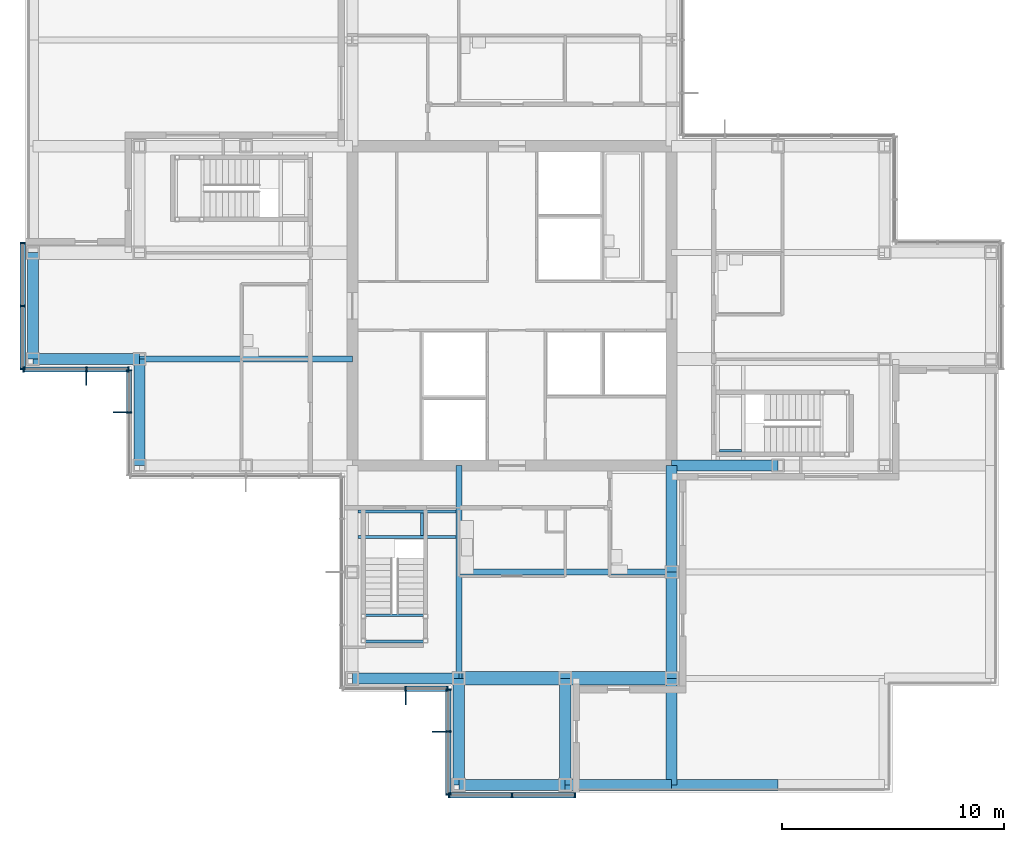
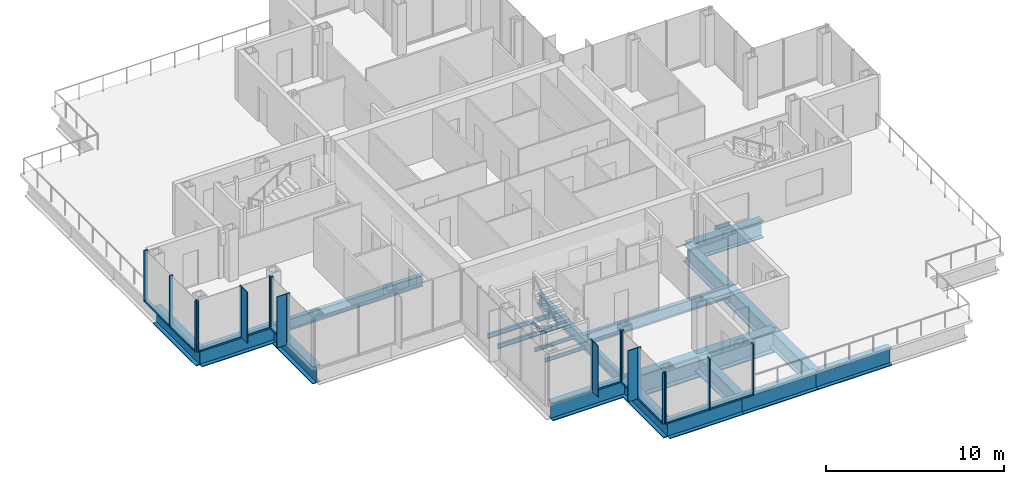
# One storey, part 6 of 17: 30 members, 23 beams, 6 elements without a shape of their own.
"""IFC4 building model written with IfcOpenShell, lengths in metres."""

from ifc_helpers import new_model, si_unit, direction, frame, origin, origin_2d, place, context, subcontext, project, spatial, rectangle, i_section, extrude, material, material_profile, profile_set, type_object, element, aggregate, save


model = new_model("IFC4")

# Units and contexts
model_context = context("Model", 3, precision=1e-05, world=origin(), true_north=direction((0.0, 1.0)))
body_context = subcontext(model_context, "Body", "Model", "MODEL_VIEW")
ifc_project = project(units=[si_unit("LENGTHUNIT", "METRE"), si_unit("AREAUNIT", "SQUARE_METRE"), si_unit("VOLUMEUNIT", "CUBIC_METRE"), si_unit("PLANEANGLEUNIT", "RADIAN"), si_unit("MASSUNIT", "GRAM", prefix="KILO")], contexts=[model_context])

# Site, building, storey
site_placement = place(None, origin())
site = spatial("IfcSite", under=ifc_project, at=site_placement, CompositionType="ELEMENT")
building_placement = place(site_placement, origin())
building = spatial("IfcBuilding", under=site, at=building_placement, Name="Kvirike Care Tower", CompositionType="ELEMENT")
storey_placement = place(building_placement, frame((0.0, 0.0, 141.0)))
storey = spatial("IfcBuildingStorey", under=building, at=storey_placement, Name="L38", CompositionType="ELEMENT", Elevation=141.0)

# Curtain wall, member
ifc_material_1 = material(Name="Anodised aluminium stick system", Category="aluminium")
curtain_wall_type = type_object("IfcCurtainWallType", Name="CW-C STICK CURTAIN WALL", PredefinedType="NOTDEFINED", material=ifc_material_1)
curtain_wall_1_placement = place(storey_placement, origin())
curtain_wall_1 = element("IfcCurtainWall", 1, at=curtain_wall_1_placement, inside=storey, type_object=curtain_wall_type, Name="Curtain wall L38 face 19", PredefinedType="NOTDEFINED")
ifc_material_2 = material(Name="Bronze anodised aluminium fin", Category="aluminium")
ifc_material_profile_1 = material_profile(ifc_material_2, rectangle(XDim=0.050048828125, YDim=0.60009765625, at=origin_2d()), Name="BRONZE FIN 600")
ifc_profile_set_1 = profile_set([ifc_material_profile_1], Name="Bronze anodised aluminium fin")
member_type_1 = type_object("IfcMemberType", Name="BRONZE FIN 600", PredefinedType="USERDEFINED", material=ifc_profile_set_1)
member_1_placement = place(storey_placement, frame((2.39990234375, 32.7099609375, 0.0), z_axis=(0.0, 0.0, 1.0), x_axis=(1.0, 0.0, 0.0)))
member_1 = element("IfcMember", 2, at=member_1_placement, type_object=member_type_1, Name="Bronze fin L38 face 19.2", ObjectType="FIN", PredefinedType="USERDEFINED", context=body_context, shape_type="SweptSolid", body=[
    extrude(rectangle(XDim=0.050048828125, YDim=0.60009765625, at=origin_2d()), origin(), (0.0, 0.0, 1.0), 3.5),
])

curtain_wall_2_placement = place(storey_placement, origin())
curtain_wall_2 = element("IfcCurtainWall", 3, at=curtain_wall_2_placement, inside=storey, type_object=curtain_wall_type, Name="Curtain wall L38 face 20", PredefinedType="NOTDEFINED")
member_2_placement = place(storey_placement, frame((3.909912109375, 31.199951171875, 0.0), z_axis=(0.0, 0.0, 1.0), x_axis=(0.0, -1.0, 0.0)))
member_2 = element("IfcMember", 4, at=member_2_placement, type_object=member_type_1, Name="Bronze fin L38 face 20.2", ObjectType="FIN", PredefinedType="USERDEFINED", context=body_context, shape_type="SweptSolid", body=[
    extrude(rectangle(XDim=0.050048828125, YDim=0.60009765625, at=origin_2d()), origin(), (0.0, 0.0, 1.0), 3.5),
])

curtain_wall_3_placement = place(storey_placement, origin())
curtain_wall_3 = element("IfcCurtainWall", 5, at=curtain_wall_3_placement, inside=storey, type_object=curtain_wall_type, Name="Curtain wall L38 face 23", PredefinedType="NOTDEFINED")
member_3_placement = place(storey_placement, frame((16.800048828125, 18.31005859375, 0.0), z_axis=(0.0, 0.0, 1.0), x_axis=(1.0, 0.0, 0.0)))
member_3 = element("IfcMember", 6, at=member_3_placement, type_object=member_type_1, Name="Bronze fin L38 face 23.2", ObjectType="FIN", PredefinedType="USERDEFINED", context=body_context, shape_type="SweptSolid", body=[
    extrude(rectangle(XDim=0.050048828125, YDim=0.60009765625, at=origin_2d()), origin(), (0.0, 0.0, 1.0), 3.5),
])

curtain_wall_4_placement = place(storey_placement, origin())
curtain_wall_4 = element("IfcCurtainWall", 7, at=curtain_wall_4_placement, inside=storey, type_object=curtain_wall_type, Name="Curtain wall L38 face 24", PredefinedType="NOTDEFINED")
member_4_placement = place(storey_placement, frame((18.31005859375, 16.800048828125, 0.0), z_axis=(0.0, 0.0, 1.0), x_axis=(0.0, -1.0, 0.0)))
member_4 = element("IfcMember", 8, at=member_4_placement, type_object=member_type_1, Name="Bronze fin L38 face 24.2", ObjectType="FIN", PredefinedType="USERDEFINED", context=body_context, shape_type="SweptSolid", body=[
    extrude(rectangle(XDim=0.050048828125, YDim=0.60009765625, at=origin_2d()), origin(), (0.0, 0.0, 1.0), 3.5),
])

# Curtain wall, members
curtain_wall_5_placement = place(storey_placement, origin())
curtain_wall_5 = element("IfcCurtainWall", 9, at=curtain_wall_5_placement, inside=storey, type_object=curtain_wall_type, Name="Curtain wall L38 face 18", PredefinedType="NOTDEFINED")
ifc_material_3 = material(Name="Bronze anodised aluminium mullion", Category="aluminium")
ifc_material_profile_2 = material_profile(ifc_material_3, rectangle(XDim=0.06494140625, YDim=0.239990234375, at=origin_2d()), Name="CW-C MULLION 65x240")
ifc_profile_set_2 = profile_set([ifc_material_profile_2], Name="Bronze anodised aluminium mullion")
member_type_2 = type_object("IfcMemberType", Name="CW-C MULLION 65x240", PredefinedType="MULLION", material=ifc_profile_set_2)
member_5_placement = place(storey_placement, frame((-0.469970703125, 38.83740234375, 0.0), z_axis=(0.0, 0.0, 1.0), x_axis=(0.0, -1.0, 0.0)))
member_5 = element("IfcMember", 10, at=member_5_placement, type_object=member_type_2, Name="CW-C mullion L38 face 18.1", PredefinedType="MULLION", context=body_context, shape_type="SweptSolid", body=[
    extrude(rectangle(XDim=0.06494140625, YDim=0.239990234375, at=origin_2d()), origin(), (0.0, 0.0, 1.0), 3.5),
])
member_6_placement = place(storey_placement, frame((-0.469970703125, 36.0, 0.0), z_axis=(0.0, 0.0, 1.0), x_axis=(0.0, -1.0, 0.0)))
member_6 = element("IfcMember", 11, at=member_6_placement, type_object=member_type_2, Name="CW-C mullion L38 face 18.2", PredefinedType="MULLION", context=body_context, shape_type="SweptSolid", body=[
    extrude(rectangle(XDim=0.06494140625, YDim=0.239990234375, at=origin_2d()), origin(), (0.0, 0.0, 1.0), 3.5),
])
member_7_placement = place(storey_placement, frame((-0.469970703125, 33.16259765625, 0.0), z_axis=(0.0, 0.0, 1.0), x_axis=(0.0, -1.0, 0.0)))
member_7 = element("IfcMember", 12, at=member_7_placement, type_object=member_type_2, Name="CW-C mullion L38 face 18.3", PredefinedType="MULLION", context=body_context, shape_type="SweptSolid", body=[
    extrude(rectangle(XDim=0.06494140625, YDim=0.239990234375, at=origin_2d()), origin(), (0.0, 0.0, 1.0), 3.5),
])

# Member
member_8_placement = place(storey_placement, frame((-0.4375, 33.1298828125, 0.0), z_axis=(0.0, 0.0, 1.0), x_axis=(1.0, 0.0, 0.0)))
member_8 = element("IfcMember", 13, at=member_8_placement, type_object=member_type_2, Name="CW-C mullion L38 face 19.1", PredefinedType="MULLION", context=body_context, shape_type="SweptSolid", body=[
    extrude(rectangle(XDim=0.06494140625, YDim=0.239990234375, at=origin_2d()), origin(), (0.0, 0.0, 1.0), 3.5),
])

member_9_placement = place(storey_placement, frame((2.39990234375, 33.1298828125, 0.0), z_axis=(0.0, 0.0, 1.0), x_axis=(1.0, 0.0, 0.0)))
member_9 = element("IfcMember", 14, at=member_9_placement, type_object=member_type_2, Name="CW-C mullion L38 face 19.2", PredefinedType="MULLION", context=body_context, shape_type="SweptSolid", body=[
    extrude(rectangle(XDim=0.06494140625, YDim=0.239990234375, at=origin_2d()), origin(), (0.0, 0.0, 1.0), 3.5),
])

member_10_placement = place(storey_placement, frame((4.297607421875, 33.1298828125, 0.0), z_axis=(0.0, 0.0, 1.0), x_axis=(1.0, 0.0, 0.0)))
member_10 = element("IfcMember", 15, at=member_10_placement, type_object=member_type_2, Name="CW-C mullion L38 face 19.3", PredefinedType="MULLION", context=body_context, shape_type="SweptSolid", body=[
    extrude(rectangle(XDim=0.06494140625, YDim=0.239990234375, at=origin_2d()), origin(), (0.0, 0.0, 1.0), 3.5),
])

member_11_placement = place(storey_placement, frame((4.330078125, 33.097412109375, 0.0), z_axis=(0.0, 0.0, 1.0), x_axis=(0.0, -1.0, 0.0)))
member_11 = element("IfcMember", 16, at=member_11_placement, type_object=member_type_2, Name="CW-C mullion L38 face 20.1", PredefinedType="MULLION", context=body_context, shape_type="SweptSolid", body=[
    extrude(rectangle(XDim=0.06494140625, YDim=0.239990234375, at=origin_2d()), origin(), (0.0, 0.0, 1.0), 3.5),
])

member_12_placement = place(storey_placement, frame((4.330078125, 31.199951171875, 0.0), z_axis=(0.0, 0.0, 1.0), x_axis=(0.0, -1.0, 0.0)))
member_12 = element("IfcMember", 17, at=member_12_placement, type_object=member_type_2, Name="CW-C mullion L38 face 20.2", PredefinedType="MULLION", context=body_context, shape_type="SweptSolid", body=[
    extrude(rectangle(XDim=0.06494140625, YDim=0.239990234375, at=origin_2d()), origin(), (0.0, 0.0, 1.0), 3.5),
])

member_13_placement = place(storey_placement, frame((16.800048828125, 18.72998046875, 0.0), z_axis=(0.0, 0.0, 1.0), x_axis=(1.0, 0.0, 0.0)))
member_13 = element("IfcMember", 18, at=member_13_placement, type_object=member_type_2, Name="CW-C mullion L38 face 23.2", PredefinedType="MULLION", context=body_context, shape_type="SweptSolid", body=[
    extrude(rectangle(XDim=0.06494140625, YDim=0.239990234375, at=origin_2d()), origin(), (0.0, 0.0, 1.0), 3.5),
])

member_14_placement = place(storey_placement, frame((18.697509765625, 18.72998046875, 0.0), z_axis=(0.0, 0.0, 1.0), x_axis=(1.0, 0.0, 0.0)))
member_14 = element("IfcMember", 19, at=member_14_placement, type_object=member_type_2, Name="CW-C mullion L38 face 23.3", PredefinedType="MULLION", context=body_context, shape_type="SweptSolid", body=[
    extrude(rectangle(XDim=0.06494140625, YDim=0.239990234375, at=origin_2d()), origin(), (0.0, 0.0, 1.0), 3.5),
])

member_15_placement = place(storey_placement, frame((18.72998046875, 18.697509765625, 0.0), z_axis=(0.0, 0.0, 1.0), x_axis=(0.0, -1.0, 0.0)))
member_15 = element("IfcMember", 20, at=member_15_placement, type_object=member_type_2, Name="CW-C mullion L38 face 24.1", PredefinedType="MULLION", context=body_context, shape_type="SweptSolid", body=[
    extrude(rectangle(XDim=0.06494140625, YDim=0.239990234375, at=origin_2d()), origin(), (0.0, 0.0, 1.0), 3.5),
])

member_16_placement = place(storey_placement, frame((18.72998046875, 16.800048828125, 0.0), z_axis=(0.0, 0.0, 1.0), x_axis=(0.0, -1.0, 0.0)))
member_16 = element("IfcMember", 21, at=member_16_placement, type_object=member_type_2, Name="CW-C mullion L38 face 24.2", PredefinedType="MULLION", context=body_context, shape_type="SweptSolid", body=[
    extrude(rectangle(XDim=0.06494140625, YDim=0.239990234375, at=origin_2d()), origin(), (0.0, 0.0, 1.0), 3.5),
])

member_17_placement = place(storey_placement, frame((18.72998046875, 13.96240234375, 0.0), z_axis=(0.0, 0.0, 1.0), x_axis=(0.0, -1.0, 0.0)))
member_17 = element("IfcMember", 22, at=member_17_placement, type_object=member_type_2, Name="CW-C mullion L38 face 24.3", PredefinedType="MULLION", context=body_context, shape_type="SweptSolid", body=[
    extrude(rectangle(XDim=0.06494140625, YDim=0.239990234375, at=origin_2d()), origin(), (0.0, 0.0, 1.0), 3.5),
])

# Curtain wall, members
curtain_wall_6_placement = place(storey_placement, origin())
curtain_wall_6 = element("IfcCurtainWall", 23, at=curtain_wall_6_placement, inside=storey, type_object=curtain_wall_type, Name="Curtain wall L38 face 25", PredefinedType="NOTDEFINED")
member_18_placement = place(storey_placement, frame((18.762451171875, 13.929931640625, 0.0), z_axis=(0.0, 0.0, 1.0), x_axis=(1.0, 0.0, 0.0)))
member_18 = element("IfcMember", 24, at=member_18_placement, type_object=member_type_2, Name="CW-C mullion L38 face 25.1", PredefinedType="MULLION", context=body_context, shape_type="SweptSolid", body=[
    extrude(rectangle(XDim=0.06494140625, YDim=0.239990234375, at=origin_2d()), origin(), (0.0, 0.0, 1.0), 3.5),
])
member_19_placement = place(storey_placement, frame((21.60009765625, 13.929931640625, 0.0), z_axis=(0.0, 0.0, 1.0), x_axis=(1.0, 0.0, 0.0)))
member_19 = element("IfcMember", 25, at=member_19_placement, type_object=member_type_2, Name="CW-C mullion L38 face 25.2", PredefinedType="MULLION", context=body_context, shape_type="SweptSolid", body=[
    extrude(rectangle(XDim=0.06494140625, YDim=0.239990234375, at=origin_2d()), origin(), (0.0, 0.0, 1.0), 3.5),
])
member_20_placement = place(storey_placement, frame((24.4375, 13.929931640625, 0.0), z_axis=(0.0, 0.0, 1.0), x_axis=(1.0, 0.0, 0.0)))
member_20 = element("IfcMember", 26, at=member_20_placement, type_object=member_type_2, Name="CW-C mullion L38 face 25.3", PredefinedType="MULLION", context=body_context, shape_type="SweptSolid", body=[
    extrude(rectangle(XDim=0.06494140625, YDim=0.239990234375, at=origin_2d()), origin(), (0.0, 0.0, 1.0), 3.5),
])

# Member
ifc_material_4 = material(Name="Bronze anodised aluminium transom", Category="aluminium")
ifc_material_profile_3 = material_profile(ifc_material_4, rectangle(XDim=0.239990234375, YDim=0.10009765625, at=origin_2d()), Name="CW-C TRANSOM 240x100")
ifc_profile_set_3 = profile_set([ifc_material_profile_3], Name="Bronze anodised aluminium transom")
member_type_3 = type_object("IfcMemberType", Name="CW-C TRANSOM 240x100", PredefinedType="USERDEFINED", material=ifc_profile_set_3)
member_21_placement = place(storey_placement, frame((-0.469970703125, 38.804931640625, 0.050048828125), z_axis=(0.0, -1.0, 0.0), x_axis=(1.0, 0.0, 0.0)))
member_21 = element("IfcMember", 27, at=member_21_placement, type_object=member_type_3, Name="CW-C sill transom L38 face 18.1", ObjectType="TRANSOM", PredefinedType="USERDEFINED", context=body_context, shape_type="SweptSolid", body=[
    extrude(rectangle(XDim=0.239990234375, YDim=0.10009765625, at=origin_2d()), origin(), (0.0, 0.0, 1.0), 2.7724609375),
])

member_22_placement = place(storey_placement, frame((-0.469970703125, 35.967529296875, 0.050048828125), z_axis=(0.0, -1.0, 0.0), x_axis=(1.0, 0.0, 0.0)))
member_22 = element("IfcMember", 28, at=member_22_placement, type_object=member_type_3, Name="CW-C sill transom L38 face 18.2", ObjectType="TRANSOM", PredefinedType="USERDEFINED", context=body_context, shape_type="SweptSolid", body=[
    extrude(rectangle(XDim=0.239990234375, YDim=0.10009765625, at=origin_2d()), origin(), (0.0, 0.0, 1.0), 2.7724609375),
])

aggregate(curtain_wall_5, [member_5, member_6, member_7, member_21, member_22])

member_23_placement = place(storey_placement, frame((-0.405029296875, 33.1298828125, 0.050048828125), z_axis=(1.0, 0.0, 0.0), x_axis=(0.0, 1.0, 0.0)))
member_23 = element("IfcMember", 29, at=member_23_placement, type_object=member_type_3, Name="CW-C sill transom L38 face 19.1", ObjectType="TRANSOM", PredefinedType="USERDEFINED", context=body_context, shape_type="SweptSolid", body=[
    extrude(rectangle(XDim=0.239990234375, YDim=0.10009765625, at=origin_2d()), origin(), (0.0, 0.0, 1.0), 2.7724609375),
])

member_24_placement = place(storey_placement, frame((2.4326171875, 33.1298828125, 0.050048828125), z_axis=(1.0, 0.0, 0.0), x_axis=(0.0, 1.0, 0.0)))
member_24 = element("IfcMember", 30, at=member_24_placement, type_object=member_type_3, Name="CW-C sill transom L38 face 19.2", ObjectType="TRANSOM", PredefinedType="USERDEFINED", context=body_context, shape_type="SweptSolid", body=[
    extrude(rectangle(XDim=0.239990234375, YDim=0.10009765625, at=origin_2d()), origin(), (0.0, 0.0, 1.0), 1.832275390625),
])

aggregate(curtain_wall_1, [member_8, member_9, member_1, member_10, member_23, member_24])

member_25_placement = place(storey_placement, frame((4.330078125, 33.06494140625, 0.050048828125), z_axis=(0.0, -1.0, 0.0), x_axis=(1.0, 0.0, 0.0)))
member_25 = element("IfcMember", 31, at=member_25_placement, type_object=member_type_3, Name="CW-C sill transom L38 face 20.1", ObjectType="TRANSOM", PredefinedType="USERDEFINED", context=body_context, shape_type="SweptSolid", body=[
    extrude(rectangle(XDim=0.239990234375, YDim=0.10009765625, at=origin_2d()), origin(), (0.0, 0.0, 1.0), 1.83251953125),
])

aggregate(curtain_wall_2, [member_11, member_12, member_2, member_25])

member_26_placement = place(storey_placement, frame((16.83251953125, 18.72998046875, 0.050048828125), z_axis=(1.0, 0.0, 0.0), x_axis=(0.0, 1.0, 0.0)))
member_26 = element("IfcMember", 32, at=member_26_placement, type_object=member_type_3, Name="CW-C sill transom L38 face 23.2", ObjectType="TRANSOM", PredefinedType="USERDEFINED", context=body_context, shape_type="SweptSolid", body=[
    extrude(rectangle(XDim=0.239990234375, YDim=0.10009765625, at=origin_2d()), origin(), (0.0, 0.0, 1.0), 1.83251953125),
])

aggregate(curtain_wall_3, [member_13, member_3, member_14, member_26])

member_27_placement = place(storey_placement, frame((18.72998046875, 18.6650390625, 0.050048828125), z_axis=(0.0, -1.0, 0.0), x_axis=(1.0, 0.0, 0.0)))
member_27 = element("IfcMember", 33, at=member_27_placement, type_object=member_type_3, Name="CW-C sill transom L38 face 24.1", ObjectType="TRANSOM", PredefinedType="USERDEFINED", context=body_context, shape_type="SweptSolid", body=[
    extrude(rectangle(XDim=0.239990234375, YDim=0.10009765625, at=origin_2d()), origin(), (0.0, 0.0, 1.0), 1.83251953125),
])

member_28_placement = place(storey_placement, frame((18.72998046875, 16.767578125, 0.050048828125), z_axis=(0.0, -1.0, 0.0), x_axis=(1.0, 0.0, 0.0)))
member_28 = element("IfcMember", 34, at=member_28_placement, type_object=member_type_3, Name="CW-C sill transom L38 face 24.2", ObjectType="TRANSOM", PredefinedType="USERDEFINED", context=body_context, shape_type="SweptSolid", body=[
    extrude(rectangle(XDim=0.239990234375, YDim=0.10009765625, at=origin_2d()), origin(), (0.0, 0.0, 1.0), 2.7724609375),
])

aggregate(curtain_wall_4, [member_15, member_16, member_4, member_17, member_27, member_28])

member_29_placement = place(storey_placement, frame((18.794921875, 13.929931640625, 0.050048828125), z_axis=(1.0, 0.0, 0.0), x_axis=(0.0, 1.0, 0.0)))
member_29 = element("IfcMember", 35, at=member_29_placement, type_object=member_type_3, Name="CW-C sill transom L38 face 25.1", ObjectType="TRANSOM", PredefinedType="USERDEFINED", context=body_context, shape_type="SweptSolid", body=[
    extrude(rectangle(XDim=0.239990234375, YDim=0.10009765625, at=origin_2d()), origin(), (0.0, 0.0, 1.0), 2.7724609375),
])

member_30_placement = place(storey_placement, frame((21.632568359375, 13.929931640625, 0.050048828125), z_axis=(1.0, 0.0, 0.0), x_axis=(0.0, 1.0, 0.0)))
member_30 = element("IfcMember", 36, at=member_30_placement, type_object=member_type_3, Name="CW-C sill transom L38 face 25.2", ObjectType="TRANSOM", PredefinedType="USERDEFINED", context=body_context, shape_type="SweptSolid", body=[
    extrude(rectangle(XDim=0.239990234375, YDim=0.10009765625, at=origin_2d()), origin(), (0.0, 0.0, 1.0), 2.7724609375),
])

aggregate(curtain_wall_6, [member_18, member_19, member_20, member_29, member_30])

# Beams
ifc_material_5 = material(Name="Steel S355", Category="steel")
ifc_material_profile_4 = material_profile(ifc_material_5, i_section(OverallWidth=0.26806640625, OverallDepth=0.77001953125, WebThickness=0.015625, FlangeThickness=0.025390625, FilletRadius=0.01708984375, at=origin_2d()), Name="IPE 750x196")
ifc_profile_set_4 = profile_set([ifc_material_profile_4], Name="Steel S355")
beam_type_1 = type_object("IfcBeamType", Name="FLOOR BEAM IPE 750x196", PredefinedType="BEAM", material=ifc_profile_set_4)
beam_1_placement = place(storey_placement, frame((19.199951171875, 24.0, -0.554931640625), z_axis=(1.0, 0.0, 0.0), x_axis=(0.0, 1.0, 0.0)))
element("IfcBeam", 37, at=beam_1_placement, inside=storey, type_object=beam_type_1, Name="Floor Beam F7-F9 L38", PredefinedType="BEAM", context=body_context, shape_type="SweptSolid", body=[
    extrude(i_section(OverallWidth=0.26806640625, OverallDepth=0.77001953125, WebThickness=0.015625, FlangeThickness=0.025390625, FilletRadius=0.01708984375, at=origin_2d()), origin(), (0.0, 0.0, 1.0), 9.60009765625),
])
beam_2_placement = place(storey_placement, frame((4.800048828125, 33.60009765625, -0.554931640625), z_axis=(1.0, 0.0, 0.0), x_axis=(0.0, 1.0, 0.0)))
element("IfcBeam", 38, at=beam_2_placement, inside=storey, type_object=beam_type_1, Name="Floor Beam H4-H6 L38", PredefinedType="BEAM", context=body_context, shape_type="SweptSolid", body=[
    extrude(i_section(OverallWidth=0.26806640625, OverallDepth=0.77001953125, WebThickness=0.015625, FlangeThickness=0.025390625, FilletRadius=0.01708984375, at=origin_2d()), origin(), (0.0, 0.0, 1.0), 9.599853515625),
])
beam_3_placement = place(storey_placement, frame((19.199951171875, 19.199951171875, -0.554931640625), z_axis=(0.0, 1.0, 0.0), x_axis=(-1.0, 0.0, 0.0)))
element("IfcBeam", 39, at=beam_3_placement, inside=storey, type_object=beam_type_1, Name="Floor Beam E7-G7 L38", PredefinedType="BEAM", context=body_context, shape_type="SweptSolid", body=[
    extrude(i_section(OverallWidth=0.26806640625, OverallDepth=0.77001953125, WebThickness=0.015625, FlangeThickness=0.025390625, FilletRadius=0.01708984375, at=origin_2d()), origin(), (0.0, 0.0, 1.0), 9.60009765625),
])
ifc_material_6 = material(Name="Steel S355", Category="steel")
ifc_material_profile_5 = material_profile(ifc_material_6, i_section(OverallWidth=0.5, OverallDepth=1.199951171875, WebThickness=0.030029296875, FlangeThickness=0.06005859375, at=origin_2d()), Name="PG 1200x500x30x60")
ifc_profile_set_5 = profile_set([ifc_material_profile_5], Name="Steel S355")
beam_type_2 = type_object("IfcBeamType", Name="FRAME BEAM PG 1200x500x30x60", PredefinedType="BEAM", material=ifc_profile_set_5)
beam_4_placement = place(storey_placement, frame((28.800048828125, 14.39990234375, -0.77001953125), z_axis=(0.0, 1.0, 0.0), x_axis=(-1.0, 0.0, 0.0)))
element("IfcBeam", 40, at=beam_4_placement, inside=storey, type_object=beam_type_2, Name="Frame Beam D9-E9 L38", PredefinedType="BEAM", context=body_context, shape_type="SweptSolid", body=[
    extrude(i_section(OverallWidth=0.5, OverallDepth=1.199951171875, WebThickness=0.030029296875, FlangeThickness=0.06005859375, at=origin_2d()), origin(), (0.0, 0.0, 1.0), 4.800048828125),
])
ifc_material_7 = material(Name="Steel S355", Category="steel")
ifc_material_profile_6 = material_profile(ifc_material_7, i_section(OverallWidth=0.5, OverallDepth=1.199951171875, WebThickness=0.030029296875, FlangeThickness=0.06005859375, at=origin_2d()), Name="PG 1200x500x30x60")
ifc_profile_set_6 = profile_set([ifc_material_profile_6], Name="Steel S355")
beam_type_3 = type_object("IfcBeamType", Name="SPANDREL PG 1200x500x30x60", PredefinedType="SPANDREL", material=ifc_profile_set_6)
for number, where, z_axis, x_axis, name in (
    (41, (19.199951171875, 14.39990234375, -0.77001953125), (1.0, 0.0, 0.0), (0.0, 1.0, 0.0), "Spandrel D7-D8 L38"),
    (42, (24.0, 14.39990234375, -0.77001953125), (1.0, 0.0, 0.0), (0.0, 1.0, 0.0), "Spandrel D8-D9 L38"),
    (43, (28.800048828125, 14.39990234375, -0.77001953125), (1.0, 0.0, 0.0), (0.0, 1.0, 0.0), "Spandrel D9-D10 L38"),
    (44, (14.39990234375, 19.199951171875, -0.77001953125), (1.0, 0.0, 0.0), (0.0, 1.0, 0.0), "Spandrel E6-E7 L38"),
    (45, (28.800048828125, 28.800048828125, -0.77001953125), (1.0, 0.0, 0.0), (0.0, 1.0, 0.0), "Spandrel G9-G10 L38"),
    (46, (0.0, 33.60009765625, -0.77001953125), (1.0, 0.0, 0.0), (0.0, 1.0, 0.0), "Spandrel H3-H4 L38"),
):
    element("IfcBeam", number, at=place(storey_placement, frame(where, z_axis=z_axis, x_axis=x_axis)), inside=storey, type_object=beam_type_3, Name=name, PredefinedType="SPANDREL", context=body_context, shape_type="SweptSolid", body=[
        extrude(i_section(OverallWidth=0.5, OverallDepth=1.199951171875, WebThickness=0.030029296875, FlangeThickness=0.06005859375, at=origin_2d()), origin(), (0.0, 0.0, 1.0), 4.800048828125),
    ])
beam_5_placement = place(storey_placement, frame((0.0, 33.60009765625, -0.77001953125), z_axis=(0.0, 1.0, 0.0), x_axis=(-1.0, 0.0, 0.0)))
element("IfcBeam", 47, at=beam_5_placement, inside=storey, type_object=beam_type_3, Name="Spandrel H3-J3 L38", PredefinedType="SPANDREL", context=body_context, shape_type="SweptSolid", body=[
    extrude(i_section(OverallWidth=0.5, OverallDepth=1.199951171875, WebThickness=0.030029296875, FlangeThickness=0.06005859375, at=origin_2d()), origin(), (0.0, 0.0, 1.0), 4.7998046875),
])
for number, where, z_axis, x_axis, name in (
    (48, (4.800048828125, 28.800048828125, -0.77001953125), (0.0, 1.0, 0.0), (-1.0, 0.0, 0.0), "Spandrel G4-H4 L38"),
    (49, (19.199951171875, 14.39990234375, -0.77001953125), (0.0, 1.0, 0.0), (-1.0, 0.0, 0.0), "Spandrel D7-E7 L38"),
    (50, (24.0, 14.39990234375, -0.77001953125), (0.0, 1.0, 0.0), (-1.0, 0.0, 0.0), "Spandrel D8-E8 L38"),
    (51, (28.800048828125, 19.199951171875, -0.77001953125), (0.0, 1.0, 0.0), (-1.0, 0.0, 0.0), "Spandrel E9-F9 L38"),
    (52, (28.800048828125, 24.0, -0.77001953125), (0.0, 1.0, 0.0), (-1.0, 0.0, 0.0), "Spandrel F9-G9 L38"),
):
    element("IfcBeam", number, at=place(storey_placement, frame(where, z_axis=z_axis, x_axis=x_axis)), inside=storey, type_object=beam_type_3, Name=name, PredefinedType="SPANDREL", context=body_context, shape_type="SweptSolid", body=[
        extrude(i_section(OverallWidth=0.5, OverallDepth=1.199951171875, WebThickness=0.030029296875, FlangeThickness=0.06005859375, at=origin_2d()), origin(), (0.0, 0.0, 1.0), 4.800048828125),
    ])
ifc_material_8 = material(Name="Steel S355", Category="steel")
ifc_material_profile_7 = material_profile(ifc_material_8, i_section(OverallWidth=0.1201171875, OverallDepth=0.239990234375, WebThickness=0.006103515625, FlangeThickness=0.009765625, FilletRadius=0.014892578125, at=origin_2d()), Name="IPE 240")
ifc_profile_set_7 = profile_set([ifc_material_profile_7], Name="Steel S355")
beam_type_4 = type_object("IfcBeamType", Name="STAIR LANDING BEAM IPE 240", PredefinedType="BEAM", material=ifc_profile_set_7)
beam_6_placement = place(storey_placement, frame((31.949951171875, 29.4599609375, -0.320068359375), z_axis=(-1.0, 0.0, 0.0), x_axis=(0.0, -1.0, 0.0)))
element("IfcBeam", 53, at=beam_6_placement, inside=storey, type_object=beam_type_4, Name="Stair 2 landing edge beam 1 L38", PredefinedType="BEAM", context=body_context, shape_type="SweptSolid", body=[
    extrude(i_section(OverallWidth=0.1201171875, OverallDepth=0.239990234375, WebThickness=0.006103515625, FlangeThickness=0.009765625, FilletRadius=0.014892578125, at=origin_2d()), origin(), (0.0, 0.0, 1.0), 1.0),
])
for number, where, z_axis, x_axis, name in (
    (54, (15.0, 20.860107421875, 1.429931640625), (1.0, 0.0, 0.0), (0.0, 1.0, 0.0), "Stair 5 landing beam back L38"),
    (55, (15.0, 22.0400390625, 1.429931640625), (1.0, 0.0, 0.0), (0.0, 1.0, 0.0), "Stair 5 landing beam front L38"),
):
    element("IfcBeam", number, at=place(storey_placement, frame(where, z_axis=z_axis, x_axis=x_axis)), inside=storey, type_object=beam_type_4, Name=name, PredefinedType="BEAM", context=body_context, shape_type="SweptSolid", body=[
        extrude(i_section(OverallWidth=0.1201171875, OverallDepth=0.239990234375, WebThickness=0.006103515625, FlangeThickness=0.009765625, FilletRadius=0.014892578125, at=origin_2d()), origin(), (0.0, 0.0, 1.0), 2.60009765625),
    ])
beam_7_placement = place(storey_placement, frame((17.5400390625, 25.64990234375, -0.320068359375), z_axis=(0.0, 1.0, 0.0), x_axis=(-1.0, 0.0, 0.0)))
element("IfcBeam", 56, at=beam_7_placement, inside=storey, type_object=beam_type_4, Name="Stair 5 landing edge beam 2 L38", PredefinedType="BEAM", context=body_context, shape_type="SweptSolid", body=[
    extrude(i_section(OverallWidth=0.1201171875, OverallDepth=0.239990234375, WebThickness=0.006103515625, FlangeThickness=0.009765625, FilletRadius=0.014892578125, at=origin_2d()), origin(), (0.0, 0.0, 1.0), 1.0),
])
ifc_material_9 = material(Name="Steel S355", Category="steel")
ifc_material_profile_8 = material_profile(ifc_material_9, i_section(OverallWidth=0.14990234375, OverallDepth=0.300048828125, WebThickness=0.007080078125, FlangeThickness=0.0107421875, FilletRadius=0.014892578125, at=origin_2d()), Name="IPE 300")
ifc_profile_set_8 = profile_set([ifc_material_profile_8], Name="Steel S355")
beam_type_5 = type_object("IfcBeamType", Name="STAIR TRIMMER IPE 300", PredefinedType="BEAM", material=ifc_profile_set_8)
for number, where, z_axis, x_axis, name in (
    (57, (14.64990234375, 25.574951171875, -0.35009765625), (1.0, 0.0, 0.0), (0.0, 1.0, 0.0), "Stair 5 trimmer 1 L38"),
    (58, (14.64990234375, 26.72509765625, -0.35009765625), (1.0, 0.0, 0.0), (0.0, 1.0, 0.0), "Stair 5 trimmer 2 L38"),
):
    element("IfcBeam", number, at=place(storey_placement, frame(where, z_axis=z_axis, x_axis=x_axis)), inside=storey, type_object=beam_type_5, Name=name, PredefinedType="BEAM", context=body_context, shape_type="SweptSolid", body=[
        extrude(i_section(OverallWidth=0.14990234375, OverallDepth=0.300048828125, WebThickness=0.007080078125, FlangeThickness=0.0107421875, FilletRadius=0.014892578125, at=origin_2d()), origin(), (0.0, 0.0, 1.0), 4.416015625),
    ])
ifc_material_10 = material(Name="Steel S355", Category="steel")
ifc_material_profile_9 = material_profile(ifc_material_10, i_section(OverallWidth=0.60009765625, OverallDepth=1.5, WebThickness=0.0400390625, FlangeThickness=0.080078125, at=origin_2d()), Name="PG 1500x600x40x80")
ifc_profile_set_9 = profile_set([ifc_material_profile_9], Name="Steel S355")
beam_type_6 = type_object("IfcBeamType", Name="TRANSFER GIRDER PG 1500x600x40x80", PredefinedType="BEAM", material=ifc_profile_set_9)
beam_8_placement = place(storey_placement, frame((19.199951171875, 19.199951171875, -0.919921875), z_axis=(1.0, 0.0, 0.0), x_axis=(0.0, 1.0, 0.0)))
element("IfcBeam", 59, at=beam_8_placement, inside=storey, type_object=beam_type_6, Name="Transfer Girder E7-E9 L38", PredefinedType="BEAM", context=body_context, shape_type="SweptSolid", body=[
    extrude(i_section(OverallWidth=0.60009765625, OverallDepth=1.5, WebThickness=0.0400390625, FlangeThickness=0.080078125, at=origin_2d()), origin(), (0.0, 0.0, 1.0), 9.60009765625),
])

save(model, "model.ifc")
